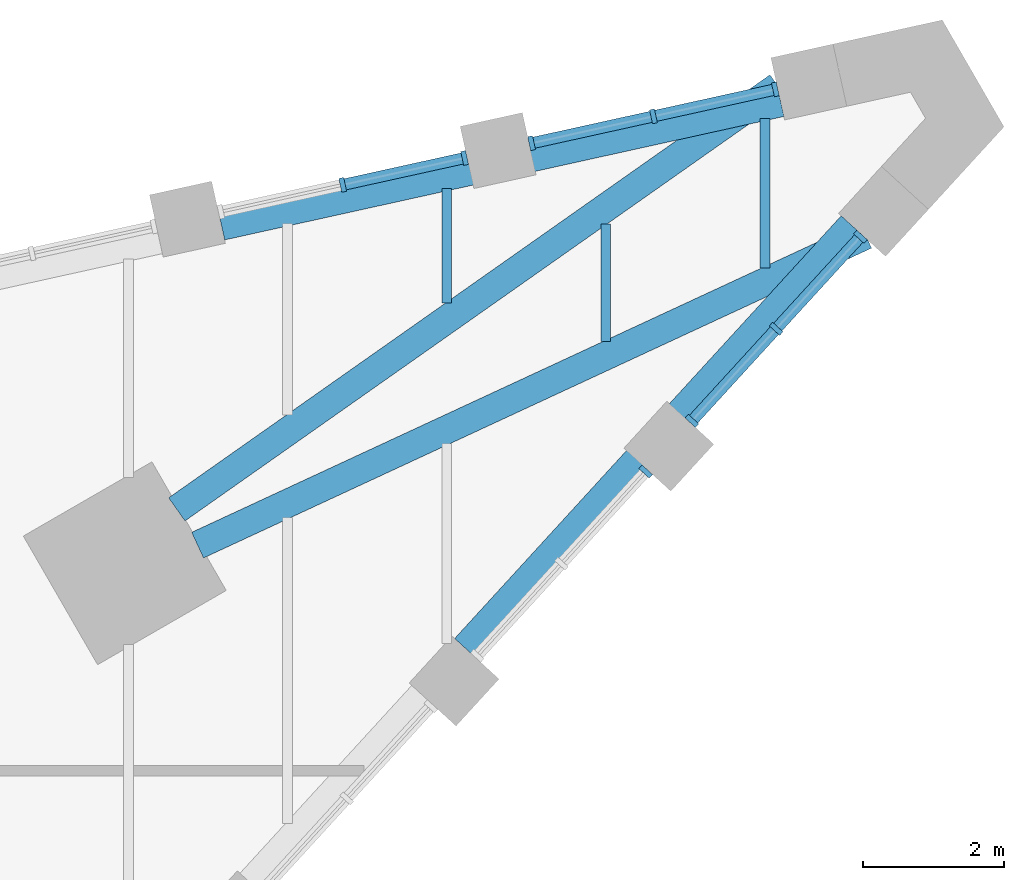
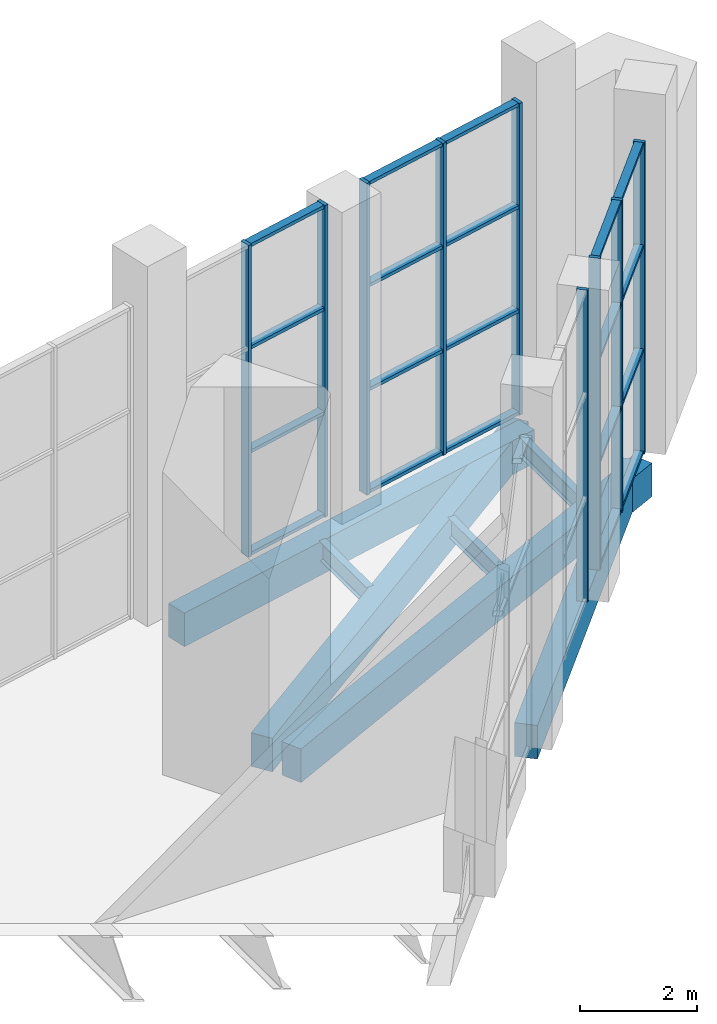
# One storey, part 6 of 14: 29 members, 7 beams, 4 elements without a shape of their own.
"""IFC4 building model written with IfcOpenShell, lengths in metres."""

from ifc_helpers import new_model, si_unit, direction, frame, origin, origin_2d, place, context, subcontext, project, spatial, rectangle, i_section, extrude, material, material_profile, profile_set, type_object, element, aggregate, save


model = new_model("IFC4")

# Units and contexts
model_context = context("Model", 3, precision=1e-05, world=origin(), true_north=direction((0.0, 1.0)))
body_context = subcontext(model_context, "Body", "Model", "MODEL_VIEW")
ifc_project = project(units=[si_unit("LENGTHUNIT", "METRE"), si_unit("AREAUNIT", "SQUARE_METRE"), si_unit("VOLUMEUNIT", "CUBIC_METRE"), si_unit("PLANEANGLEUNIT", "RADIAN"), si_unit("MASSUNIT", "GRAM", prefix="KILO")], contexts=[model_context])

# Site, building, storey
site_placement = place(None, origin())
site = spatial("IfcSite", under=ifc_project, at=site_placement, CompositionType="ELEMENT")
building_placement = place(site_placement, origin())
building = spatial("IfcBuilding", under=site, at=building_placement, Name="Calabash Gate Tower", CompositionType="ELEMENT")
storey_placement = place(building_placement, frame((0.0, 0.0, 295.0)))
storey = spatial("IfcBuildingStorey", under=building, at=storey_placement, Name="L71", CompositionType="ELEMENT", Elevation=295.0)

# Beams
ifc_material_1 = material(Name="Concrete C50/60", Category="concrete")
ifc_material_profile_1 = material_profile(ifc_material_1, rectangle(XDim=0.39990234375, YDim=0.699951171875, at=origin_2d()))
ifc_profile_set_1 = profile_set([ifc_material_profile_1], Name="Concrete C50/60")
beam_type_1 = type_object("IfcBeamType", Name="Edge beam RC 400x700 Concrete C50/60", PredefinedType="BEAM", material=ifc_profile_set_1)
beam_1_placement = place(storey_placement, frame((27.260009765625, 15.29296875, -0.52001953125), z_axis=(0.67486440312, 0.737941757459, 0.0), x_axis=(-0.737941757459, 0.67486440312, 0.0)))
element("IfcBeam", 1, at=beam_1_placement, inside=storey, type_object=beam_type_1, Name="Edge beam L71 11", PredefinedType="BEAM", context=body_context, shape_type="SweptSolid", body=[
    extrude(rectangle(XDim=0.39990234375, YDim=0.699951171875, at=origin_2d()), origin(), (0.0, 0.0, 1.0), 8.100830078125),
])
beam_2_placement = place(storey_placement, frame((32.924072265625, 21.1298828125, -0.52001953125), z_axis=(-0.907165927894, -0.420773073364, 0.0), x_axis=(0.420773073364, -0.907165927894, 0.0)))
element("IfcBeam", 2, at=beam_2_placement, inside=storey, type_object=beam_type_1, Name="Edge beam L71 12", PredefinedType="BEAM", context=body_context, shape_type="SweptSolid", body=[
    extrude(rectangle(XDim=0.39990234375, YDim=0.699951171875, at=origin_2d()), origin(), (0.0, 0.0, 1.0), 10.413818359375),
])
beam_3_placement = place(storey_placement, frame((23.18310546875, 17.25390625, -0.52001953125), z_axis=(0.817868224599, 0.575405567571, 0.0), x_axis=(-0.575405567571, 0.817868224599, 0.0)))
element("IfcBeam", 3, at=beam_3_placement, inside=storey, type_object=beam_type_1, Name="Edge beam L71 13", PredefinedType="BEAM", context=body_context, shape_type="SweptSolid", body=[
    extrude(rectangle(XDim=0.39990234375, YDim=0.699951171875, at=origin_2d()), origin(), (0.0, 0.0, 1.0), 10.396484375),
])
beam_4_placement = place(storey_placement, frame((31.72705078125, 23.006103515625, -0.52001953125), z_axis=(-0.976492437334, -0.215551663945, 0.0), x_axis=(0.215551663945, -0.976492437334, 0.0)))
element("IfcBeam", 4, at=beam_4_placement, inside=storey, type_object=beam_type_1, Name="Edge beam L71 14", PredefinedType="BEAM", context=body_context, shape_type="SweptSolid", body=[
    extrude(rectangle(XDim=0.39990234375, YDim=0.699951171875, at=origin_2d()), origin(), (0.0, 0.0, 1.0), 8.1005859375),
])
ifc_material_2 = material(Name="Steel ASTM A992 Gr50", Category="steel")
ifc_material_profile_2 = material_profile(ifc_material_2, i_section(OverallWidth=0.1396484375, OverallDepth=0.398681640625, WebThickness=0.00634765625, FlangeThickness=0.0087890625, FilletRadius=0.01025390625, at=origin_2d()))
ifc_profile_set_2 = profile_set([ifc_material_profile_2], Name="Steel ASTM A992 Gr50")
beam_type_2 = type_object("IfcBeamType", Name="Floor beam W16x26 ASTM A992 Gr50", PredefinedType="BEAM", material=ifc_profile_set_2)
beam_5_placement = place(storey_placement, frame((27.0, 20.172119140625, -0.368896484375), z_axis=(0.0, 1.0, 0.0), x_axis=(-1.0, 0.0, 0.0)))
element("IfcBeam", 5, at=beam_5_placement, inside=storey, type_object=beam_type_2, Name="Floor beam L71 34", PredefinedType="BEAM", context=body_context, shape_type="SweptSolid", body=[
    extrude(i_section(OverallWidth=0.1396484375, OverallDepth=0.398681640625, WebThickness=0.00634765625, FlangeThickness=0.0087890625, FilletRadius=0.01025390625, at=origin_2d()), origin(), (0.0, 0.0, 1.0), 1.617919921875),
])
beam_6_placement = place(storey_placement, frame((29.25, 19.626953125, -0.368896484375), z_axis=(0.0, 1.0, 0.0), x_axis=(-1.0, 0.0, 0.0)))
element("IfcBeam", 6, at=beam_6_placement, inside=storey, type_object=beam_type_2, Name="Floor beam L71 35", PredefinedType="BEAM", context=body_context, shape_type="SweptSolid", body=[
    extrude(i_section(OverallWidth=0.1396484375, OverallDepth=0.398681640625, WebThickness=0.00634765625, FlangeThickness=0.0087890625, FilletRadius=0.01025390625, at=origin_2d()), origin(), (0.0, 0.0, 1.0), 1.6630859375),
])
beam_7_placement = place(storey_placement, frame((31.5, 20.66796875, -0.368896484375), z_axis=(0.0, 1.0, 0.0), x_axis=(-1.0, 0.0, 0.0)))
element("IfcBeam", 7, at=beam_7_placement, inside=storey, type_object=beam_type_2, Name="Floor beam L71 36", PredefinedType="BEAM", context=body_context, shape_type="SweptSolid", body=[
    extrude(i_section(OverallWidth=0.1396484375, OverallDepth=0.398681640625, WebThickness=0.00634765625, FlangeThickness=0.0087890625, FilletRadius=0.01025390625, at=origin_2d()), origin(), (0.0, 0.0, 1.0), 2.114990234375),
])

# Curtain wall, member
ifc_material_3 = material(Name="Anodised aluminium frame, bronze finish, clear laminated impact-rated glazing", Category="aluminium")
curtain_wall_type = type_object("IfcCurtainWallType", Name="Curtain wall CWW wedge prow wall", PredefinedType="NOTDEFINED", material=ifc_material_3)
curtain_wall_1_placement = place(storey_placement, origin())
curtain_wall_1 = element("IfcCurtainWall", 8, at=curtain_wall_1_placement, inside=storey, type_object=curtain_wall_type, Name="Curtain wall CWW L71 wedge3.3", PredefinedType="NOTDEFINED")
ifc_material_4 = material(Name="Anodised aluminium frame, bronze finish", Category="aluminium")
ifc_material_profile_3 = material_profile(ifc_material_4, rectangle(XDim=0.199951171875, YDim=0.070068359375, at=origin_2d()))
ifc_profile_set_3 = profile_set([ifc_material_profile_3], Name="Anodised aluminium frame, bronze finish")
member_type_1 = type_object("IfcMemberType", Name="Mullion CWW 70x200", PredefinedType="MULLION", material=ifc_profile_set_3)
member_1_placement = place(storey_placement, frame((29.813720703125, 17.7890625, 0.0), z_axis=(0.0, 0.0, 1.0), x_axis=(-0.737949387896, 0.674856059397, 0.0)))
member_1 = element("IfcMember", 9, at=member_1_placement, type_object=member_type_1, Name="CWW mullion 3", PredefinedType="MULLION", context=body_context, shape_type="SweptSolid", body=[
    extrude(rectangle(XDim=0.199951171875, YDim=0.070068359375, at=origin_2d()), origin(), (0.0, 0.0, 1.0), 6.5),
])
aggregate(curtain_wall_1, [member_1])

# Curtain wall, members
curtain_wall_2_placement = place(storey_placement, origin())
curtain_wall_2 = element("IfcCurtainWall", 10, at=curtain_wall_2_placement, inside=storey, type_object=curtain_wall_type, Name="Curtain wall CWW L71 wedge3.4", PredefinedType="NOTDEFINED")
member_2_placement = place(storey_placement, frame((30.46826171875, 18.5048828125, 0.0), z_axis=(0.0, 0.0, 1.0), x_axis=(-0.737949387896, 0.674856059397, 0.0)))
member_2 = element("IfcMember", 11, at=member_2_placement, type_object=member_type_1, Name="CWW mullion 1", PredefinedType="MULLION", context=body_context, shape_type="SweptSolid", body=[
    extrude(rectangle(XDim=0.199951171875, YDim=0.070068359375, at=origin_2d()), origin(), (0.0, 0.0, 1.0), 6.5),
])
member_3_placement = place(storey_placement, frame((31.659423828125, 19.807373046875, 0.0), z_axis=(0.0, 0.0, 1.0), x_axis=(-0.737949387896, 0.674856059397, 0.0)))
member_3 = element("IfcMember", 12, at=member_3_placement, type_object=member_type_1, Name="CWW mullion 2", PredefinedType="MULLION", context=body_context, shape_type="SweptSolid", body=[
    extrude(rectangle(XDim=0.199951171875, YDim=0.070068359375, at=origin_2d()), origin(), (0.0, 0.0, 1.0), 6.5),
])
member_4_placement = place(storey_placement, frame((32.8505859375, 21.10986328125, 0.0), z_axis=(0.0, 0.0, 1.0), x_axis=(-0.737949387896, 0.674856059397, 0.0)))
member_4 = element("IfcMember", 13, at=member_4_placement, type_object=member_type_1, Name="CWW mullion 3", PredefinedType="MULLION", context=body_context, shape_type="SweptSolid", body=[
    extrude(rectangle(XDim=0.199951171875, YDim=0.070068359375, at=origin_2d()), origin(), (0.0, 0.0, 1.0), 6.5),
])

curtain_wall_3_placement = place(storey_placement, origin())
curtain_wall_3 = element("IfcCurtainWall", 14, at=curtain_wall_3_placement, inside=storey, type_object=curtain_wall_type, Name="Curtain wall CWW L71 wedge5.1", PredefinedType="NOTDEFINED")
member_5_placement = place(storey_placement, frame((31.647705078125, 23.193359375, 0.0), z_axis=(0.0, 0.0, 1.0), x_axis=(0.215467802466, -0.976510945203, 0.0)))
member_5 = element("IfcMember", 15, at=member_5_placement, type_object=member_type_1, Name="CWW mullion 1", PredefinedType="MULLION", context=body_context, shape_type="SweptSolid", body=[
    extrude(rectangle(XDim=0.199951171875, YDim=0.070068359375, at=origin_2d()), origin(), (0.0, 0.0, 1.0), 6.5),
])
member_6_placement = place(storey_placement, frame((29.924072265625, 22.81298828125, 0.0), z_axis=(0.0, 0.0, 1.0), x_axis=(0.215467802466, -0.976510945203, 0.0)))
member_6 = element("IfcMember", 16, at=member_6_placement, type_object=member_type_1, Name="CWW mullion 2", PredefinedType="MULLION", context=body_context, shape_type="SweptSolid", body=[
    extrude(rectangle(XDim=0.199951171875, YDim=0.070068359375, at=origin_2d()), origin(), (0.0, 0.0, 1.0), 6.5),
])
member_7_placement = place(storey_placement, frame((28.20068359375, 22.432861328125, 0.0), z_axis=(0.0, 0.0, 1.0), x_axis=(0.215467802466, -0.976510945203, 0.0)))
member_7 = element("IfcMember", 17, at=member_7_placement, type_object=member_type_1, Name="CWW mullion 3", PredefinedType="MULLION", context=body_context, shape_type="SweptSolid", body=[
    extrude(rectangle(XDim=0.199951171875, YDim=0.070068359375, at=origin_2d()), origin(), (0.0, 0.0, 1.0), 6.5),
])

curtain_wall_4_placement = place(storey_placement, origin())
curtain_wall_4 = element("IfcCurtainWall", 18, at=curtain_wall_4_placement, inside=storey, type_object=curtain_wall_type, Name="Curtain wall CWW L71 wedge5.2", PredefinedType="NOTDEFINED")
member_8_placement = place(storey_placement, frame((27.25341796875, 22.2236328125, 0.0), z_axis=(0.0, 0.0, 1.0), x_axis=(0.215467744008, -0.976510958101, 0.0)))
member_8 = element("IfcMember", 19, at=member_8_placement, type_object=member_type_1, Name="CWW mullion 1", PredefinedType="MULLION", context=body_context, shape_type="SweptSolid", body=[
    extrude(rectangle(XDim=0.199951171875, YDim=0.070068359375, at=origin_2d()), origin(), (0.0, 0.0, 1.0), 6.5),
])
member_9_placement = place(storey_placement, frame((25.52978515625, 21.843505859375, 0.0), z_axis=(0.0, 0.0, 1.0), x_axis=(0.215467744008, -0.976510958101, 0.0)))
member_9 = element("IfcMember", 20, at=member_9_placement, type_object=member_type_1, Name="CWW mullion 2", PredefinedType="MULLION", context=body_context, shape_type="SweptSolid", body=[
    extrude(rectangle(XDim=0.199951171875, YDim=0.070068359375, at=origin_2d()), origin(), (0.0, 0.0, 1.0), 6.5),
])

# Member
ifc_material_5 = material(Name="Anodised aluminium frame, bronze finish", Category="aluminium")
ifc_material_profile_4 = material_profile(ifc_material_5, rectangle(XDim=0.159912109375, YDim=0.070068359375, at=origin_2d()))
ifc_profile_set_4 = profile_set([ifc_material_profile_4], Name="Anodised aluminium frame, bronze finish")
member_type_2 = type_object("IfcMemberType", Name="Transom CWW 70x160", PredefinedType="USERDEFINED", material=ifc_profile_set_4)
member_10_placement = place(storey_placement, frame((30.491943359375, 18.53076171875, 0.034912109375), z_axis=(0.674935053329, 0.737877140036, 0.0), x_axis=(-0.737877140036, 0.674935053329, 0.0)))
member_10 = element("IfcMember", 21, at=member_10_placement, type_object=member_type_2, Name="CWW transom 1.1", ObjectType="TRANSOM", PredefinedType="USERDEFINED", context=body_context, shape_type="SweptSolid", body=[
    extrude(rectangle(XDim=0.159912109375, YDim=0.070068359375, at=origin_2d()), origin(), (0.0, 0.0, 1.0), 1.695068359375),
])

member_11_placement = place(storey_placement, frame((30.491943359375, 18.53076171875, 2.166748046875), z_axis=(0.674935053329, 0.737877140036, 0.0), x_axis=(-0.737877140036, 0.674935053329, 0.0)))
member_11 = element("IfcMember", 22, at=member_11_placement, type_object=member_type_2, Name="CWW transom 1.2", ObjectType="TRANSOM", PredefinedType="USERDEFINED", context=body_context, shape_type="SweptSolid", body=[
    extrude(rectangle(XDim=0.159912109375, YDim=0.070068359375, at=origin_2d()), origin(), (0.0, 0.0, 1.0), 1.695068359375),
])

member_12_placement = place(storey_placement, frame((30.491943359375, 18.53076171875, 4.333251953125), z_axis=(0.674935053329, 0.737877140036, 0.0), x_axis=(-0.737877140036, 0.674935053329, 0.0)))
member_12 = element("IfcMember", 23, at=member_12_placement, type_object=member_type_2, Name="CWW transom 1.3", ObjectType="TRANSOM", PredefinedType="USERDEFINED", context=body_context, shape_type="SweptSolid", body=[
    extrude(rectangle(XDim=0.159912109375, YDim=0.070068359375, at=origin_2d()), origin(), (0.0, 0.0, 1.0), 1.695068359375),
])

member_13_placement = place(storey_placement, frame((30.491943359375, 18.53076171875, 6.465087890625), z_axis=(0.674935053329, 0.737877140036, 0.0), x_axis=(-0.737877140036, 0.674935053329, 0.0)))
member_13 = element("IfcMember", 24, at=member_13_placement, type_object=member_type_2, Name="CWW transom 1.4", ObjectType="TRANSOM", PredefinedType="USERDEFINED", context=body_context, shape_type="SweptSolid", body=[
    extrude(rectangle(XDim=0.159912109375, YDim=0.070068359375, at=origin_2d()), origin(), (0.0, 0.0, 1.0), 1.695068359375),
])

member_14_placement = place(storey_placement, frame((31.68310546875, 19.833251953125, 0.034912109375), z_axis=(0.674856621718, 0.737948873652, 0.0), x_axis=(-0.737948873652, 0.674856621718, 0.0)))
member_14 = element("IfcMember", 25, at=member_14_placement, type_object=member_type_2, Name="CWW transom 2.1", ObjectType="TRANSOM", PredefinedType="USERDEFINED", context=body_context, shape_type="SweptSolid", body=[
    extrude(rectangle(XDim=0.159912109375, YDim=0.070068359375, at=origin_2d()), origin(), (0.0, 0.0, 1.0), 1.69482421875),
])

member_15_placement = place(storey_placement, frame((31.68310546875, 19.833251953125, 2.166748046875), z_axis=(0.674856621718, 0.737948873652, 0.0), x_axis=(-0.737948873652, 0.674856621718, 0.0)))
member_15 = element("IfcMember", 26, at=member_15_placement, type_object=member_type_2, Name="CWW transom 2.2", ObjectType="TRANSOM", PredefinedType="USERDEFINED", context=body_context, shape_type="SweptSolid", body=[
    extrude(rectangle(XDim=0.159912109375, YDim=0.070068359375, at=origin_2d()), origin(), (0.0, 0.0, 1.0), 1.69482421875),
])

member_16_placement = place(storey_placement, frame((31.68310546875, 19.833251953125, 4.333251953125), z_axis=(0.674856621718, 0.737948873652, 0.0), x_axis=(-0.737948873652, 0.674856621718, 0.0)))
member_16 = element("IfcMember", 27, at=member_16_placement, type_object=member_type_2, Name="CWW transom 2.3", ObjectType="TRANSOM", PredefinedType="USERDEFINED", context=body_context, shape_type="SweptSolid", body=[
    extrude(rectangle(XDim=0.159912109375, YDim=0.070068359375, at=origin_2d()), origin(), (0.0, 0.0, 1.0), 1.69482421875),
])

member_17_placement = place(storey_placement, frame((31.68310546875, 19.833251953125, 6.465087890625), z_axis=(0.674856621718, 0.737948873652, 0.0), x_axis=(-0.737948873652, 0.674856621718, 0.0)))
member_17 = element("IfcMember", 28, at=member_17_placement, type_object=member_type_2, Name="CWW transom 2.4", ObjectType="TRANSOM", PredefinedType="USERDEFINED", context=body_context, shape_type="SweptSolid", body=[
    extrude(rectangle(XDim=0.159912109375, YDim=0.070068359375, at=origin_2d()), origin(), (0.0, 0.0, 1.0), 1.69482421875),
])

aggregate(curtain_wall_2, [member_2, member_3, member_4, member_10, member_11, member_12, member_13, member_14, member_15, member_16, member_17])

member_18_placement = place(storey_placement, frame((31.613525390625, 23.185791015625, 0.034912109375), z_axis=(-0.976511296708, -0.215466209421, 0.0), x_axis=(0.215466209421, -0.976511296708, 0.0)))
member_18 = element("IfcMember", 29, at=member_18_placement, type_object=member_type_2, Name="CWW transom 1.1", ObjectType="TRANSOM", PredefinedType="USERDEFINED", context=body_context, shape_type="SweptSolid", body=[
    extrude(rectangle(XDim=0.159912109375, YDim=0.070068359375, at=origin_2d()), origin(), (0.0, 0.0, 1.0), 1.695068359375),
])

member_19_placement = place(storey_placement, frame((31.613525390625, 23.185791015625, 2.166748046875), z_axis=(-0.976511296708, -0.215466209421, 0.0), x_axis=(0.215466209421, -0.976511296708, 0.0)))
member_19 = element("IfcMember", 30, at=member_19_placement, type_object=member_type_2, Name="CWW transom 1.2", ObjectType="TRANSOM", PredefinedType="USERDEFINED", context=body_context, shape_type="SweptSolid", body=[
    extrude(rectangle(XDim=0.159912109375, YDim=0.070068359375, at=origin_2d()), origin(), (0.0, 0.0, 1.0), 1.695068359375),
])

member_20_placement = place(storey_placement, frame((31.613525390625, 23.185791015625, 4.333251953125), z_axis=(-0.976511296708, -0.215466209421, 0.0), x_axis=(0.215466209421, -0.976511296708, 0.0)))
member_20 = element("IfcMember", 31, at=member_20_placement, type_object=member_type_2, Name="CWW transom 1.3", ObjectType="TRANSOM", PredefinedType="USERDEFINED", context=body_context, shape_type="SweptSolid", body=[
    extrude(rectangle(XDim=0.159912109375, YDim=0.070068359375, at=origin_2d()), origin(), (0.0, 0.0, 1.0), 1.695068359375),
])

member_21_placement = place(storey_placement, frame((31.613525390625, 23.185791015625, 6.465087890625), z_axis=(-0.976511296708, -0.215466209421, 0.0), x_axis=(0.215466209421, -0.976511296708, 0.0)))
member_21 = element("IfcMember", 32, at=member_21_placement, type_object=member_type_2, Name="CWW transom 1.4", ObjectType="TRANSOM", PredefinedType="USERDEFINED", context=body_context, shape_type="SweptSolid", body=[
    extrude(rectangle(XDim=0.159912109375, YDim=0.070068359375, at=origin_2d()), origin(), (0.0, 0.0, 1.0), 1.695068359375),
])

member_22_placement = place(storey_placement, frame((29.889892578125, 22.805419921875, 0.034912109375), z_axis=(-0.976504608688, -0.215496517864, 0.0), x_axis=(0.215496517864, -0.976504608688, 0.0)))
member_22 = element("IfcMember", 33, at=member_22_placement, type_object=member_type_2, Name="CWW transom 2.1", ObjectType="TRANSOM", PredefinedType="USERDEFINED", context=body_context, shape_type="SweptSolid", body=[
    extrude(rectangle(XDim=0.159912109375, YDim=0.070068359375, at=origin_2d()), origin(), (0.0, 0.0, 1.0), 1.69482421875),
])

member_23_placement = place(storey_placement, frame((29.889892578125, 22.805419921875, 2.166748046875), z_axis=(-0.976504608688, -0.215496517864, 0.0), x_axis=(0.215496517864, -0.976504608688, 0.0)))
member_23 = element("IfcMember", 34, at=member_23_placement, type_object=member_type_2, Name="CWW transom 2.2", ObjectType="TRANSOM", PredefinedType="USERDEFINED", context=body_context, shape_type="SweptSolid", body=[
    extrude(rectangle(XDim=0.159912109375, YDim=0.070068359375, at=origin_2d()), origin(), (0.0, 0.0, 1.0), 1.69482421875),
])

member_24_placement = place(storey_placement, frame((29.889892578125, 22.805419921875, 4.333251953125), z_axis=(-0.976504608688, -0.215496517864, 0.0), x_axis=(0.215496517864, -0.976504608688, 0.0)))
member_24 = element("IfcMember", 35, at=member_24_placement, type_object=member_type_2, Name="CWW transom 2.3", ObjectType="TRANSOM", PredefinedType="USERDEFINED", context=body_context, shape_type="SweptSolid", body=[
    extrude(rectangle(XDim=0.159912109375, YDim=0.070068359375, at=origin_2d()), origin(), (0.0, 0.0, 1.0), 1.69482421875),
])

member_25_placement = place(storey_placement, frame((29.889892578125, 22.805419921875, 6.465087890625), z_axis=(-0.976504608688, -0.215496517864, 0.0), x_axis=(0.215496517864, -0.976504608688, 0.0)))
member_25 = element("IfcMember", 36, at=member_25_placement, type_object=member_type_2, Name="CWW transom 2.4", ObjectType="TRANSOM", PredefinedType="USERDEFINED", context=body_context, shape_type="SweptSolid", body=[
    extrude(rectangle(XDim=0.159912109375, YDim=0.070068359375, at=origin_2d()), origin(), (0.0, 0.0, 1.0), 1.69482421875),
])

aggregate(curtain_wall_3, [member_5, member_6, member_7, member_18, member_19, member_20, member_21, member_22, member_23, member_24, member_25])

member_26_placement = place(storey_placement, frame((27.21923828125, 22.21630859375, 0.034912109375), z_axis=(-0.976511296708, -0.215466209421, 0.0), x_axis=(0.215466209421, -0.976511296708, 0.0)))
member_26 = element("IfcMember", 37, at=member_26_placement, type_object=member_type_2, Name="CWW transom 1.1", ObjectType="TRANSOM", PredefinedType="USERDEFINED", context=body_context, shape_type="SweptSolid", body=[
    extrude(rectangle(XDim=0.159912109375, YDim=0.070068359375, at=origin_2d()), origin(), (0.0, 0.0, 1.0), 1.695068359375),
])

member_27_placement = place(storey_placement, frame((27.21923828125, 22.21630859375, 2.166748046875), z_axis=(-0.976511296708, -0.215466209421, 0.0), x_axis=(0.215466209421, -0.976511296708, 0.0)))
member_27 = element("IfcMember", 38, at=member_27_placement, type_object=member_type_2, Name="CWW transom 1.2", ObjectType="TRANSOM", PredefinedType="USERDEFINED", context=body_context, shape_type="SweptSolid", body=[
    extrude(rectangle(XDim=0.159912109375, YDim=0.070068359375, at=origin_2d()), origin(), (0.0, 0.0, 1.0), 1.695068359375),
])

member_28_placement = place(storey_placement, frame((27.21923828125, 22.21630859375, 4.333251953125), z_axis=(-0.976511296708, -0.215466209421, 0.0), x_axis=(0.215466209421, -0.976511296708, 0.0)))
member_28 = element("IfcMember", 39, at=member_28_placement, type_object=member_type_2, Name="CWW transom 1.3", ObjectType="TRANSOM", PredefinedType="USERDEFINED", context=body_context, shape_type="SweptSolid", body=[
    extrude(rectangle(XDim=0.159912109375, YDim=0.070068359375, at=origin_2d()), origin(), (0.0, 0.0, 1.0), 1.695068359375),
])

member_29_placement = place(storey_placement, frame((27.21923828125, 22.21630859375, 6.465087890625), z_axis=(-0.976511296708, -0.215466209421, 0.0), x_axis=(0.215466209421, -0.976511296708, 0.0)))
member_29 = element("IfcMember", 40, at=member_29_placement, type_object=member_type_2, Name="CWW transom 1.4", ObjectType="TRANSOM", PredefinedType="USERDEFINED", context=body_context, shape_type="SweptSolid", body=[
    extrude(rectangle(XDim=0.159912109375, YDim=0.070068359375, at=origin_2d()), origin(), (0.0, 0.0, 1.0), 1.695068359375),
])

aggregate(curtain_wall_4, [member_8, member_9, member_26, member_27, member_28, member_29])

save(model, "model.ifc")
